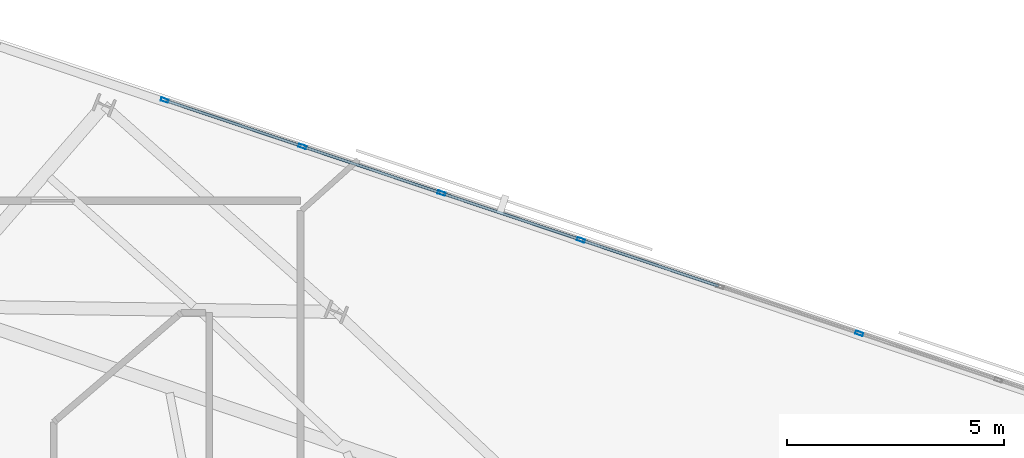
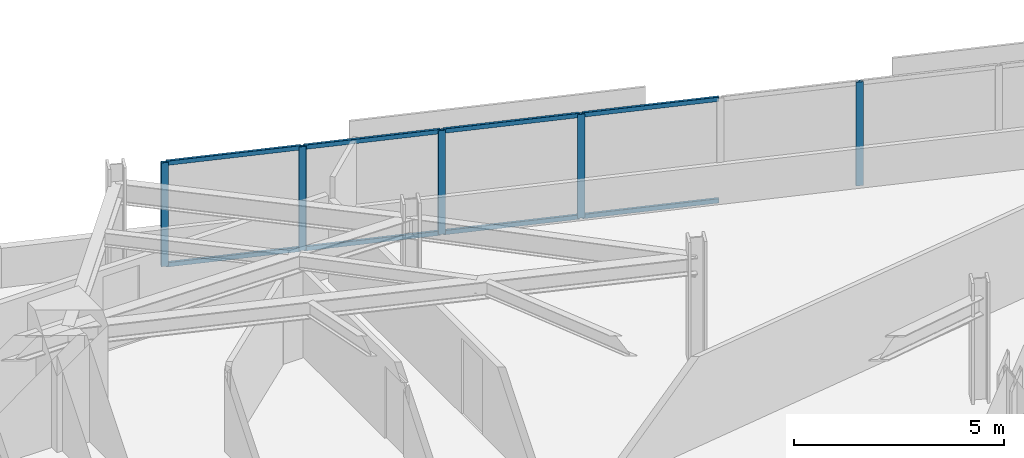
# One storey, part 4 of 14: 13 members, 1 element without a shape of its own.
"""IFC4 building model written with IfcOpenShell, lengths in metres."""

from ifc_helpers import new_model, si_unit, direction, frame, origin, origin_2d, place, context, subcontext, project, spatial, hollow_rectangle, extrude, material, material_profile, profile_set, type_object, element, aggregate, save


model = new_model("IFC4")

# Units and contexts
model_context = context("Model", 3, precision=1e-05, world=origin(), true_north=direction((0.0, 1.0)))
body_context = subcontext(model_context, "Body", "Model", "MODEL_VIEW")
ifc_project = project(units=[si_unit("LENGTHUNIT", "METRE"), si_unit("AREAUNIT", "SQUARE_METRE"), si_unit("VOLUMEUNIT", "CUBIC_METRE"), si_unit("PLANEANGLEUNIT", "RADIAN"), si_unit("MASSUNIT", "GRAM", prefix="KILO")], contexts=[model_context])

# Site, building, storey
site_placement = place(None, origin())
site = spatial("IfcSite", under=ifc_project, at=site_placement, CompositionType="ELEMENT")
building_placement = place(site_placement, origin())
building = spatial("IfcBuilding", under=site, at=building_placement, Name="Narakoshi Arena Tower", CompositionType="ELEMENT")
storey_placement = place(building_placement, frame((0.0, 0.0, 193.179931640625)))
storey = spatial("IfcBuildingStorey", under=building, at=storey_placement, Name="L52", CompositionType="ELEMENT", Elevation=193.179931640625)

# Curtain wall, members
ifc_material = material(Name="Anodised bronze aluminium 6063-T6", Category="aluminium")
curtain_wall_type = type_object("IfcCurtainWallType", Name="CW-HYP-MID", PredefinedType="NOTDEFINED", material=ifc_material)
curtain_wall_placement = place(storey_placement, origin())
curtain_wall = element("IfcCurtainWall", 1, at=curtain_wall_placement, inside=storey, type_object=curtain_wall_type, Name="L52 Folded Hypotenuse Curtain Wall 1-1", PredefinedType="NOTDEFINED")
ifc_material_profile_1 = material_profile(ifc_material, hollow_rectangle(XDim=0.074951171875, YDim=0.179931640625, WallThickness=0.00390625, OuterFilletRadius=0.0048828125, at=origin_2d()), Name="MUL180x75x4")
ifc_profile_set_1 = profile_set([ifc_material_profile_1], Name="Anodised bronze aluminium 6063-T6")
member_type_1 = type_object("IfcMemberType", Name="MEM-MUL-180", PredefinedType="MULLION", material=ifc_profile_set_1)
member_1_placement = place(storey_placement, frame((106.97509765625, 55.872802734375, 0.0), z_axis=(0.0, 0.0, 1.0), x_axis=(-0.318263454048, -0.948002306863, 0.0)))
member_1 = element("IfcMember", 2, at=member_1_placement, type_object=member_type_1, Name="CW-02 mullion 4", PredefinedType="MULLION", context=body_context, shape_type="SweptSolid", body=[
    extrude(hollow_rectangle(XDim=0.074951171875, YDim=0.179931640625, WallThickness=0.00390625, OuterFilletRadius=0.0048828125, at=origin_2d()), origin(), (0.0, 0.0, 1.0), 3.02001953125),
])
member_2_placement = place(storey_placement, frame((100.554443359375, 58.0283203125, 0.0), z_axis=(0.0, 0.0, 1.0), x_axis=(-0.318263454048, -0.948002306863, 0.0)))
member_2 = element("IfcMember", 3, at=member_2_placement, type_object=member_type_1, Name="CW-02 mullion 6", PredefinedType="MULLION", context=body_context, shape_type="SweptSolid", body=[
    extrude(hollow_rectangle(XDim=0.074951171875, YDim=0.179931640625, WallThickness=0.00390625, OuterFilletRadius=0.0048828125, at=origin_2d()), origin(), (0.0, 0.0, 1.0), 3.02001953125),
])
member_3_placement = place(storey_placement, frame((97.343994140625, 59.106201171875, 0.0), z_axis=(0.0, 0.0, 1.0), x_axis=(-0.318263454048, -0.948002306863, 0.0)))
member_3 = element("IfcMember", 4, at=member_3_placement, type_object=member_type_1, Name="CW-02 mullion 7", PredefinedType="MULLION", context=body_context, shape_type="SweptSolid", body=[
    extrude(hollow_rectangle(XDim=0.074951171875, YDim=0.179931640625, WallThickness=0.00390625, OuterFilletRadius=0.0048828125, at=origin_2d()), origin(), (0.0, 0.0, 1.0), 3.02001953125),
])
member_4_placement = place(storey_placement, frame((94.1337890625, 60.183837890625, 0.0), z_axis=(0.0, 0.0, 1.0), x_axis=(-0.318263454048, -0.948002306863, 0.0)))
member_4 = element("IfcMember", 5, at=member_4_placement, type_object=member_type_1, Name="CW-02 mullion 8", PredefinedType="MULLION", context=body_context, shape_type="SweptSolid", body=[
    extrude(hollow_rectangle(XDim=0.074951171875, YDim=0.179931640625, WallThickness=0.00390625, OuterFilletRadius=0.0048828125, at=origin_2d()), origin(), (0.0, 0.0, 1.0), 3.02001953125),
])
member_5_placement = place(storey_placement, frame((90.958740234375, 61.249755859375, 0.0), z_axis=(0.0, 0.0, 1.0), x_axis=(-0.318263454048, -0.948002306863, 0.0)))
member_5 = element("IfcMember", 6, at=member_5_placement, type_object=member_type_1, Name="CW-02 mullion 9", PredefinedType="MULLION", context=body_context, shape_type="SweptSolid", body=[
    extrude(hollow_rectangle(XDim=0.074951171875, YDim=0.179931640625, WallThickness=0.00390625, OuterFilletRadius=0.0048828125, at=origin_2d()), origin(), (0.0, 0.0, 1.0), 3.02001953125),
])
ifc_material_profile_2 = material_profile(ifc_material, hollow_rectangle(XDim=0.06494140625, YDim=0.1298828125, WallThickness=0.00390625, OuterFilletRadius=0.0048828125, at=origin_2d()), Name="TRN130x65x4")
ifc_profile_set_2 = profile_set([ifc_material_profile_2], Name="Anodised bronze aluminium 6063-T6")
member_type_2 = type_object("IfcMemberType", Name="MEM-TRN-130", PredefinedType="USERDEFINED", material=ifc_profile_set_2)
member_6_placement = place(storey_placement, frame((103.729248046875, 56.96240234375, 0.032470703125), z_axis=(-0.947995396997, 0.318284035529, 0.0), x_axis=(-0.318284035529, -0.947995396997, 0.0)))
member_6 = element("IfcMember", 7, at=member_6_placement, type_object=member_type_2, Name="CW-02 transom 5.1", ObjectType="TRANSOM", PredefinedType="USERDEFINED", context=body_context, shape_type="SweptSolid", body=[
    extrude(hollow_rectangle(XDim=0.06494140625, YDim=0.1298828125, WallThickness=0.00390625, OuterFilletRadius=0.0048828125, at=origin_2d()), origin(), (0.0, 0.0, 1.0), 3.311279296875),
])
member_7_placement = place(storey_placement, frame((103.729248046875, 56.96240234375, 2.987548828125), z_axis=(-0.947995396997, 0.318284035529, 0.0), x_axis=(-0.318284035529, -0.947995396997, 0.0)))
member_7 = element("IfcMember", 8, at=member_7_placement, type_object=member_type_2, Name="CW-02 transom 5.2", ObjectType="TRANSOM", PredefinedType="USERDEFINED", context=body_context, shape_type="SweptSolid", body=[
    extrude(hollow_rectangle(XDim=0.06494140625, YDim=0.1298828125, WallThickness=0.00390625, OuterFilletRadius=0.0048828125, at=origin_2d()), origin(), (0.0, 0.0, 1.0), 3.311279296875),
])
member_8_placement = place(storey_placement, frame((100.518798828125, 58.040283203125, 0.032470703125), z_axis=(-0.947995396997, 0.318284035529, 0.0), x_axis=(-0.318284035529, -0.947995396997, 0.0)))
member_8 = element("IfcMember", 9, at=member_8_placement, type_object=member_type_2, Name="CW-02 transom 6.1", ObjectType="TRANSOM", PredefinedType="USERDEFINED", context=body_context, shape_type="SweptSolid", body=[
    extrude(hollow_rectangle(XDim=0.06494140625, YDim=0.1298828125, WallThickness=0.00390625, OuterFilletRadius=0.0048828125, at=origin_2d()), origin(), (0.0, 0.0, 1.0), 3.311279296875),
])
member_9_placement = place(storey_placement, frame((100.518798828125, 58.040283203125, 2.987548828125), z_axis=(-0.947995396997, 0.318284035529, 0.0), x_axis=(-0.318284035529, -0.947995396997, 0.0)))
member_9 = element("IfcMember", 10, at=member_9_placement, type_object=member_type_2, Name="CW-02 transom 6.2", ObjectType="TRANSOM", PredefinedType="USERDEFINED", context=body_context, shape_type="SweptSolid", body=[
    extrude(hollow_rectangle(XDim=0.06494140625, YDim=0.1298828125, WallThickness=0.00390625, OuterFilletRadius=0.0048828125, at=origin_2d()), origin(), (0.0, 0.0, 1.0), 3.311279296875),
])
member_10_placement = place(storey_placement, frame((97.30859375, 59.1181640625, 0.032470703125), z_axis=(-0.948025106587, 0.318195533092, 0.0), x_axis=(-0.318195533092, -0.948025106587, 0.0)))
member_10 = element("IfcMember", 11, at=member_10_placement, type_object=member_type_2, Name="CW-02 transom 7.1", ObjectType="TRANSOM", PredefinedType="USERDEFINED", context=body_context, shape_type="SweptSolid", body=[
    extrude(hollow_rectangle(XDim=0.06494140625, YDim=0.1298828125, WallThickness=0.00390625, OuterFilletRadius=0.0048828125, at=origin_2d()), origin(), (0.0, 0.0, 1.0), 3.3115234375),
])
member_11_placement = place(storey_placement, frame((97.30859375, 59.1181640625, 2.987548828125), z_axis=(-0.948025106587, 0.318195533092, 0.0), x_axis=(-0.318195533092, -0.948025106587, 0.0)))
member_11 = element("IfcMember", 12, at=member_11_placement, type_object=member_type_2, Name="CW-02 transom 7.2", ObjectType="TRANSOM", PredefinedType="USERDEFINED", context=body_context, shape_type="SweptSolid", body=[
    extrude(hollow_rectangle(XDim=0.06494140625, YDim=0.1298828125, WallThickness=0.00390625, OuterFilletRadius=0.0048828125, at=origin_2d()), origin(), (0.0, 0.0, 1.0), 3.3115234375),
])
member_12_placement = place(storey_placement, frame((94.09814453125, 60.19580078125, 0.032470703125), z_axis=(-0.948002531033, 0.318262786317, 0.0), x_axis=(-0.318262786317, -0.948002531033, 0.0)))
member_12 = element("IfcMember", 13, at=member_12_placement, type_object=member_type_2, Name="CW-02 transom 8.1", ObjectType="TRANSOM", PredefinedType="USERDEFINED", context=body_context, shape_type="SweptSolid", body=[
    extrude(hollow_rectangle(XDim=0.06494140625, YDim=0.1298828125, WallThickness=0.00390625, OuterFilletRadius=0.0048828125, at=origin_2d()), origin(), (0.0, 0.0, 1.0), 3.27392578125),
])
member_13_placement = place(storey_placement, frame((94.09814453125, 60.19580078125, 2.987548828125), z_axis=(-0.948002531033, 0.318262786317, 0.0), x_axis=(-0.318262786317, -0.948002531033, 0.0)))
member_13 = element("IfcMember", 14, at=member_13_placement, type_object=member_type_2, Name="CW-02 transom 8.2", ObjectType="TRANSOM", PredefinedType="USERDEFINED", context=body_context, shape_type="SweptSolid", body=[
    extrude(hollow_rectangle(XDim=0.06494140625, YDim=0.1298828125, WallThickness=0.00390625, OuterFilletRadius=0.0048828125, at=origin_2d()), origin(), (0.0, 0.0, 1.0), 3.27392578125),
])
aggregate(curtain_wall, [member_1, member_2, member_3, member_4, member_5, member_6, member_7, member_8, member_9, member_10, member_11, member_12, member_13])

save(model, "model.ifc")
